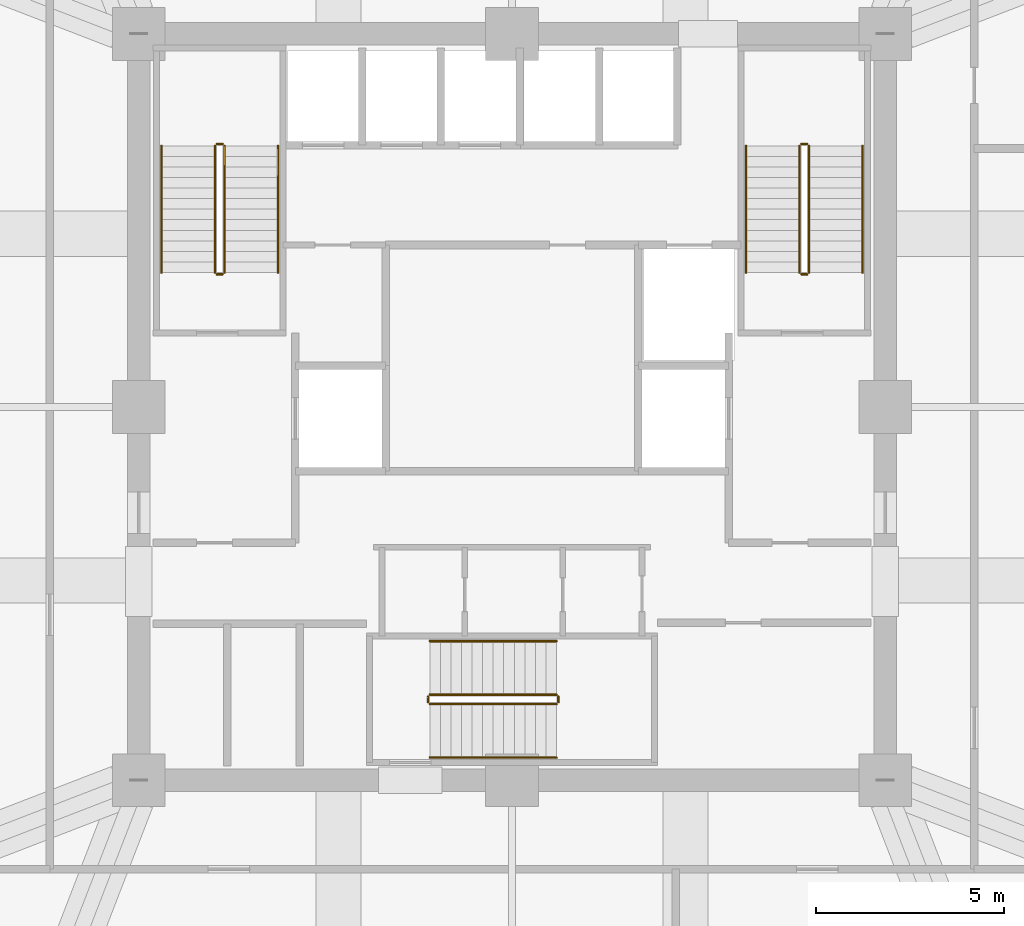
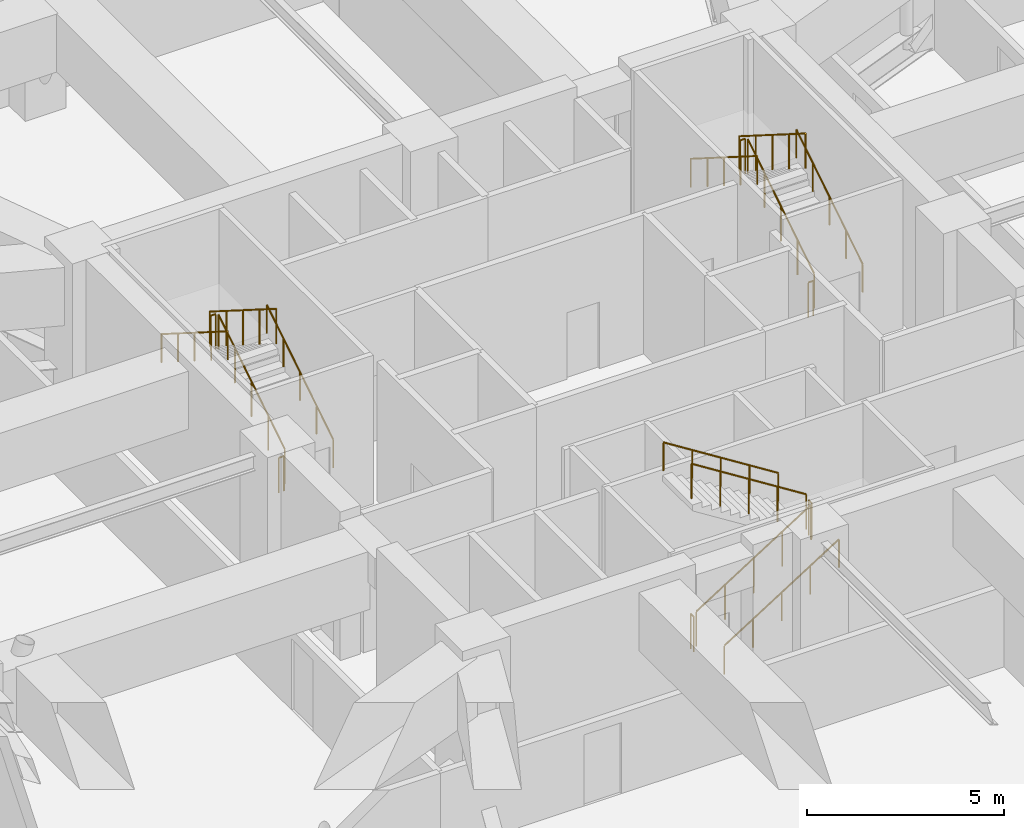
# One storey, part 15 of 15: 18 railings.
"""IFC4 building model written with IfcOpenShell, lengths in metres."""

from ifc_helpers import new_model, si_unit, direction, frame, origin, origin_2d, place, context, subcontext, project, spatial, circle, extrude, material, type_object, element, save


model = new_model("IFC4")

# Units and contexts
model_context = context("Model", 3, precision=1e-05, world=origin(), true_north=direction((0.0, 1.0)))
body_context = subcontext(model_context, "Body", "Model", "MODEL_VIEW")
ifc_project = project(units=[si_unit("LENGTHUNIT", "METRE"), si_unit("AREAUNIT", "SQUARE_METRE"), si_unit("VOLUMEUNIT", "CUBIC_METRE"), si_unit("PLANEANGLEUNIT", "RADIAN"), si_unit("MASSUNIT", "GRAM", prefix="KILO")], contexts=[model_context])

# Site, building, storey
site_placement = place(None, origin())
site = spatial("IfcSite", under=ifc_project, at=site_placement, CompositionType="ELEMENT")
building_placement = place(site_placement, origin())
building = spatial("IfcBuilding", under=site, at=building_placement, Name="Kolvaren Belvedere", CompositionType="ELEMENT")
storey_placement = place(building_placement, frame((0.0, 0.0, 63.39990234375)))
storey = spatial("IfcBuildingStorey", under=building, at=storey_placement, Name="L18", CompositionType="ELEMENT", Elevation=63.39990234375)

# Railings
ifc_material_1 = material(Name="Brushed stainless-steel handrail", Category="steel")
railing_type_1 = type_object("IfcRailingType", Name="RL-HANDRAIL-920", PredefinedType="HANDRAIL", material=ifc_material_1)
railing_1_placement = place(storey_placement, frame((-6.2099609375, 3.570068359375, 0.177001953125)))
element("IfcRailing", 1, at=railing_1_placement, inside=storey, type_object=railing_type_1, Name="L18 ST-1 stair handrail 1", PredefinedType="HANDRAIL", context=body_context, shape_type="SweptSolid", body=[
    extrude(circle(Radius=0.02392578125, at=origin_2d()), frame((0.0, 0.0, 0.8759765625), z_axis=(0.0, 0.845372108799, 0.534177870812), x_axis=(-1.0, 0.0, 0.0)), (0.0, 0.0, 1.0), 3.974365234375),
    extrude(circle(Radius=0.02099609375, at=origin_2d()), origin(), (0.0, 0.0, 1.0), 0.851806640625),
    extrude(circle(Radius=0.02099609375, at=origin_2d()), frame((0.0, 0.83984375, 0.53076171875)), (0.0, 0.0, 1.0), 0.851806640625),
    extrude(circle(Radius=0.02099609375, at=origin_2d()), frame((0.0, 1.679931640625, 1.0615234375)), (0.0, 0.0, 1.0), 0.851806640625),
    extrude(circle(Radius=0.02099609375, at=origin_2d()), frame((0.0, 2.52001953125, 1.59228515625)), (0.0, 0.0, 1.0), 0.851806640625),
    extrude(circle(Radius=0.02099609375, at=origin_2d()), frame((0.0, 3.35986328125, 2.123046875)), (0.0, 0.0, 1.0), 0.851806640625),
])
railing_2_placement = place(storey_placement, frame((-9.300048828125, 6.929931640625, 2.47705078125)))
element("IfcRailing", 2, at=railing_2_placement, inside=storey, type_object=railing_type_1, Name="L18 ST-1 stair handrail 2", PredefinedType="HANDRAIL", context=body_context, shape_type="SweptSolid", body=[
    extrude(circle(Radius=0.02392578125, at=origin_2d()), frame((0.0, 0.0, 0.8759765625), z_axis=(0.0, -0.845372108799, 0.534177870812), x_axis=(1.0, 0.0, 0.0)), (0.0, 0.0, 1.0), 3.974365234375),
    extrude(circle(Radius=0.02099609375, at=origin_2d()), origin(), (0.0, 0.0, 1.0), 0.851806640625),
    extrude(circle(Radius=0.02099609375, at=origin_2d()), frame((0.0, -0.83984375, 0.53076171875)), (0.0, 0.0, 1.0), 0.851806640625),
    extrude(circle(Radius=0.02099609375, at=origin_2d()), frame((0.0, -1.679931640625, 1.0615234375)), (0.0, 0.0, 1.0), 0.851806640625),
    extrude(circle(Radius=0.02099609375, at=origin_2d()), frame((0.0, -2.52001953125, 1.59228515625)), (0.0, 0.0, 1.0), 0.851806640625),
    extrude(circle(Radius=0.02099609375, at=origin_2d()), frame((0.0, -3.35986328125, 2.123046875)), (0.0, 0.0, 1.0), 0.851806640625),
])
railing_3_placement = place(storey_placement, frame((9.300048828125, 3.570068359375, 0.177001953125)))
element("IfcRailing", 3, at=railing_3_placement, inside=storey, type_object=railing_type_1, Name="L18 ST-2 stair handrail 1", PredefinedType="HANDRAIL", context=body_context, shape_type="SweptSolid", body=[
    extrude(circle(Radius=0.02392578125, at=origin_2d()), frame((0.0, 0.0, 0.8759765625), z_axis=(0.0, 0.845372108799, 0.534177870812), x_axis=(-1.0, 0.0, 0.0)), (0.0, 0.0, 1.0), 3.974365234375),
    extrude(circle(Radius=0.02099609375, at=origin_2d()), origin(), (0.0, 0.0, 1.0), 0.851806640625),
    extrude(circle(Radius=0.02099609375, at=origin_2d()), frame((0.0, 0.83984375, 0.53076171875)), (0.0, 0.0, 1.0), 0.851806640625),
    extrude(circle(Radius=0.02099609375, at=origin_2d()), frame((0.0, 1.679931640625, 1.0615234375)), (0.0, 0.0, 1.0), 0.851806640625),
    extrude(circle(Radius=0.02099609375, at=origin_2d()), frame((0.0, 2.52001953125, 1.59228515625)), (0.0, 0.0, 1.0), 0.851806640625),
    extrude(circle(Radius=0.02099609375, at=origin_2d()), frame((0.0, 3.35986328125, 2.123046875)), (0.0, 0.0, 1.0), 0.851806640625),
])
railing_4_placement = place(storey_placement, frame((6.2099609375, 6.929931640625, 2.47705078125)))
element("IfcRailing", 4, at=railing_4_placement, inside=storey, type_object=railing_type_1, Name="L18 ST-2 stair handrail 2", PredefinedType="HANDRAIL", context=body_context, shape_type="SweptSolid", body=[
    extrude(circle(Radius=0.02392578125, at=origin_2d()), frame((0.0, 0.0, 0.8759765625), z_axis=(0.0, -0.845372108799, 0.534177870812), x_axis=(1.0, 0.0, 0.0)), (0.0, 0.0, 1.0), 3.974365234375),
    extrude(circle(Radius=0.02099609375, at=origin_2d()), origin(), (0.0, 0.0, 1.0), 0.851806640625),
    extrude(circle(Radius=0.02099609375, at=origin_2d()), frame((0.0, -0.83984375, 0.53076171875)), (0.0, 0.0, 1.0), 0.851806640625),
    extrude(circle(Radius=0.02099609375, at=origin_2d()), frame((0.0, -1.679931640625, 1.0615234375)), (0.0, 0.0, 1.0), 0.851806640625),
    extrude(circle(Radius=0.02099609375, at=origin_2d()), frame((0.0, -2.52001953125, 1.59228515625)), (0.0, 0.0, 1.0), 0.851806640625),
    extrude(circle(Radius=0.02099609375, at=origin_2d()), frame((0.0, -3.35986328125, 2.123046875)), (0.0, 0.0, 1.0), 0.851806640625),
])
railing_5_placement = place(storey_placement, frame((-2.179931640625, -9.300048828125, 0.177001953125)))
element("IfcRailing", 5, at=railing_5_placement, inside=storey, type_object=railing_type_1, Name="L18 ST-3 stair handrail 1", PredefinedType="HANDRAIL", context=body_context, shape_type="SweptSolid", body=[
    extrude(circle(Radius=0.02392578125, at=origin_2d()), frame((0.0, 0.0, 0.8759765625), z_axis=(0.845372108799, 0.0, 0.534177870812), x_axis=(0.0, 1.0, 0.0)), (0.0, 0.0, 1.0), 3.974365234375),
    extrude(circle(Radius=0.02099609375, at=origin_2d()), origin(), (0.0, 0.0, 1.0), 0.851806640625),
    extrude(circle(Radius=0.02099609375, at=origin_2d()), frame((0.83984375, 0.0, 0.53076171875)), (0.0, 0.0, 1.0), 0.851806640625),
    extrude(circle(Radius=0.02099609375, at=origin_2d()), frame((1.679931640625, 0.0, 1.0615234375)), (0.0, 0.0, 1.0), 0.851806640625),
    extrude(circle(Radius=0.02099609375, at=origin_2d()), frame((2.52001953125, 0.0, 1.59228515625)), (0.0, 0.0, 1.0), 0.851806640625),
    extrude(circle(Radius=0.02099609375, at=origin_2d()), frame((3.35986328125, 0.0, 2.123046875)), (0.0, 0.0, 1.0), 0.851806640625),
])
railing_6_placement = place(storey_placement, frame((1.179931640625, -6.2099609375, 2.47705078125)))
element("IfcRailing", 6, at=railing_6_placement, inside=storey, type_object=railing_type_1, Name="L18 ST-3 stair handrail 2", PredefinedType="HANDRAIL", context=body_context, shape_type="SweptSolid", body=[
    extrude(circle(Radius=0.02392578125, at=origin_2d()), frame((0.0, 0.0, 0.8759765625), z_axis=(-0.845372108799, 0.0, 0.534177870812), x_axis=(0.0, -1.0, 0.0)), (0.0, 0.0, 1.0), 3.974365234375),
    extrude(circle(Radius=0.02099609375, at=origin_2d()), origin(), (0.0, 0.0, 1.0), 0.851806640625),
    extrude(circle(Radius=0.02099609375, at=origin_2d()), frame((-0.83984375, 0.0, 0.53076171875)), (0.0, 0.0, 1.0), 0.851806640625),
    extrude(circle(Radius=0.02099609375, at=origin_2d()), frame((-1.679931640625, 0.0, 1.0615234375)), (0.0, 0.0, 1.0), 0.851806640625),
    extrude(circle(Radius=0.02099609375, at=origin_2d()), frame((-2.52001953125, 0.0, 1.59228515625)), (0.0, 0.0, 1.0), 0.851806640625),
    extrude(circle(Radius=0.02099609375, at=origin_2d()), frame((-3.35986328125, 0.0, 2.123046875)), (0.0, 0.0, 1.0), 0.851806640625),
])
ifc_material_2 = material(Name="Painted tubular steel stair guard", Category="steel")
railing_type_2 = type_object("IfcRailingType", Name="RL-STGUARD-1100", PredefinedType="GUARDRAIL", material=ifc_material_2)
railing_7_placement = place(storey_placement, frame((-7.6298828125, 3.570068359375, 0.177001953125)))
element("IfcRailing", 7, at=railing_7_placement, inside=storey, type_object=railing_type_2, Name="L18 ST-1 stair guard 1", PredefinedType="GUARDRAIL", context=body_context, shape_type="SweptSolid", body=[
    extrude(circle(Radius=0.02392578125, at=origin_2d()), frame((0.0, 0.0, 1.076171875), z_axis=(0.0, 0.845372108799, 0.534177870812), x_axis=(-1.0, 0.0, 0.0)), (0.0, 0.0, 1.0), 3.974365234375),
    extrude(circle(Radius=0.02099609375, at=origin_2d()), origin(), (0.0, 0.0, 1.0), 1.052001953125),
    extrude(circle(Radius=0.02099609375, at=origin_2d()), frame((0.0, 0.83984375, 0.53076171875)), (0.0, 0.0, 1.0), 1.052001953125),
    extrude(circle(Radius=0.02099609375, at=origin_2d()), frame((0.0, 1.679931640625, 1.0615234375)), (0.0, 0.0, 1.0), 1.052001953125),
    extrude(circle(Radius=0.02099609375, at=origin_2d()), frame((0.0, 2.52001953125, 1.59228515625)), (0.0, 0.0, 1.0), 1.052001953125),
    extrude(circle(Radius=0.02099609375, at=origin_2d()), frame((0.0, 3.35986328125, 2.123046875)), (0.0, 0.0, 1.0), 1.052001953125),
])
railing_8_placement = place(storey_placement, frame((-7.679931640625, 6.97998046875, 2.300048828125)))
element("IfcRailing", 8, at=railing_8_placement, inside=storey, type_object=railing_type_2, Name="L18 ST-1 stair guard 2", PredefinedType="GUARDRAIL", context=body_context, shape_type="SweptSolid", body=[
    extrude(circle(Radius=0.02392578125, at=origin_2d()), frame((0.0, 0.0, 1.076171875), z_axis=(-1.0, 0.0, 0.0), x_axis=(0.0, -1.0, 0.0)), (0.0, 0.0, 1.0), 0.150146484375),
    extrude(circle(Radius=0.02099609375, at=origin_2d()), origin(), (0.0, 0.0, 1.0), 1.052001953125),
    extrude(circle(Radius=0.02099609375, at=origin_2d()), frame((-0.150146484375, 0.0, 0.0)), (0.0, 0.0, 1.0), 1.052001953125),
])
railing_9_placement = place(storey_placement, frame((-7.8798828125, 6.929931640625, 2.47705078125)))
element("IfcRailing", 9, at=railing_9_placement, inside=storey, type_object=railing_type_2, Name="L18 ST-1 stair guard 3", PredefinedType="GUARDRAIL", context=body_context, shape_type="SweptSolid", body=[
    extrude(circle(Radius=0.02392578125, at=origin_2d()), frame((0.0, 0.0, 1.076171875), z_axis=(0.0, -0.845372108799, 0.534177870812), x_axis=(1.0, 0.0, 0.0)), (0.0, 0.0, 1.0), 3.974365234375),
    extrude(circle(Radius=0.02099609375, at=origin_2d()), origin(), (0.0, 0.0, 1.0), 1.052001953125),
    extrude(circle(Radius=0.02099609375, at=origin_2d()), frame((0.0, -0.83984375, 0.53076171875)), (0.0, 0.0, 1.0), 1.052001953125),
    extrude(circle(Radius=0.02099609375, at=origin_2d()), frame((0.0, -1.679931640625, 1.0615234375)), (0.0, 0.0, 1.0), 1.052001953125),
    extrude(circle(Radius=0.02099609375, at=origin_2d()), frame((0.0, -2.52001953125, 1.59228515625)), (0.0, 0.0, 1.0), 1.052001953125),
    extrude(circle(Radius=0.02099609375, at=origin_2d()), frame((0.0, -3.35986328125, 2.123046875)), (0.0, 0.0, 1.0), 1.052001953125),
])
railing_10_placement = place(storey_placement, frame((-7.679931640625, 3.52001953125, 0.0)))
element("IfcRailing", 10, at=railing_10_placement, inside=storey, type_object=railing_type_2, Name="L18 ST-1 stair guard 4", PredefinedType="GUARDRAIL", context=body_context, shape_type="SweptSolid", body=[
    extrude(circle(Radius=0.02392578125, at=origin_2d()), frame((0.0, 0.0, 1.076171875), z_axis=(-1.0, 0.0, 0.0), x_axis=(0.0, -1.0, 0.0)), (0.0, 0.0, 1.0), 0.150146484375),
    extrude(circle(Radius=0.02099609375, at=origin_2d()), origin(), (0.0, 0.0, 1.0), 1.052001953125),
    extrude(circle(Radius=0.02099609375, at=origin_2d()), frame((-0.150146484375, 0.0, 0.0)), (0.0, 0.0, 1.0), 1.052001953125),
])
railing_11_placement = place(storey_placement, frame((7.8798828125, 3.570068359375, 0.177001953125)))
element("IfcRailing", 11, at=railing_11_placement, inside=storey, type_object=railing_type_2, Name="L18 ST-2 stair guard 1", PredefinedType="GUARDRAIL", context=body_context, shape_type="SweptSolid", body=[
    extrude(circle(Radius=0.02392578125, at=origin_2d()), frame((0.0, 0.0, 1.076171875), z_axis=(0.0, 0.845372108799, 0.534177870812), x_axis=(-1.0, 0.0, 0.0)), (0.0, 0.0, 1.0), 3.974365234375),
    extrude(circle(Radius=0.02099609375, at=origin_2d()), origin(), (0.0, 0.0, 1.0), 1.052001953125),
    extrude(circle(Radius=0.02099609375, at=origin_2d()), frame((0.0, 0.83984375, 0.53076171875)), (0.0, 0.0, 1.0), 1.052001953125),
    extrude(circle(Radius=0.02099609375, at=origin_2d()), frame((0.0, 1.679931640625, 1.0615234375)), (0.0, 0.0, 1.0), 1.052001953125),
    extrude(circle(Radius=0.02099609375, at=origin_2d()), frame((0.0, 2.52001953125, 1.59228515625)), (0.0, 0.0, 1.0), 1.052001953125),
    extrude(circle(Radius=0.02099609375, at=origin_2d()), frame((0.0, 3.35986328125, 2.123046875)), (0.0, 0.0, 1.0), 1.052001953125),
])
railing_12_placement = place(storey_placement, frame((7.830078125, 6.97998046875, 2.300048828125)))
element("IfcRailing", 12, at=railing_12_placement, inside=storey, type_object=railing_type_2, Name="L18 ST-2 stair guard 2", PredefinedType="GUARDRAIL", context=body_context, shape_type="SweptSolid", body=[
    extrude(circle(Radius=0.02392578125, at=origin_2d()), frame((0.0, 0.0, 1.076171875), z_axis=(-1.0, 0.0, 0.0), x_axis=(0.0, -1.0, 0.0)), (0.0, 0.0, 1.0), 0.150146484375),
    extrude(circle(Radius=0.02099609375, at=origin_2d()), origin(), (0.0, 0.0, 1.0), 1.052001953125),
    extrude(circle(Radius=0.02099609375, at=origin_2d()), frame((-0.150146484375, 0.0, 0.0)), (0.0, 0.0, 1.0), 1.052001953125),
])
railing_13_placement = place(storey_placement, frame((7.6298828125, 6.929931640625, 2.47705078125)))
element("IfcRailing", 13, at=railing_13_placement, inside=storey, type_object=railing_type_2, Name="L18 ST-2 stair guard 3", PredefinedType="GUARDRAIL", context=body_context, shape_type="SweptSolid", body=[
    extrude(circle(Radius=0.02392578125, at=origin_2d()), frame((0.0, 0.0, 1.076171875), z_axis=(0.0, -0.845372108799, 0.534177870812), x_axis=(1.0, 0.0, 0.0)), (0.0, 0.0, 1.0), 3.974365234375),
    extrude(circle(Radius=0.02099609375, at=origin_2d()), origin(), (0.0, 0.0, 1.0), 1.052001953125),
    extrude(circle(Radius=0.02099609375, at=origin_2d()), frame((0.0, -0.83984375, 0.53076171875)), (0.0, 0.0, 1.0), 1.052001953125),
    extrude(circle(Radius=0.02099609375, at=origin_2d()), frame((0.0, -1.679931640625, 1.0615234375)), (0.0, 0.0, 1.0), 1.052001953125),
    extrude(circle(Radius=0.02099609375, at=origin_2d()), frame((0.0, -2.52001953125, 1.59228515625)), (0.0, 0.0, 1.0), 1.052001953125),
    extrude(circle(Radius=0.02099609375, at=origin_2d()), frame((0.0, -3.35986328125, 2.123046875)), (0.0, 0.0, 1.0), 1.052001953125),
])
railing_14_placement = place(storey_placement, frame((7.830078125, 3.52001953125, 0.0)))
element("IfcRailing", 14, at=railing_14_placement, inside=storey, type_object=railing_type_2, Name="L18 ST-2 stair guard 4", PredefinedType="GUARDRAIL", context=body_context, shape_type="SweptSolid", body=[
    extrude(circle(Radius=0.02392578125, at=origin_2d()), frame((0.0, 0.0, 1.076171875), z_axis=(-1.0, 0.0, 0.0), x_axis=(0.0, -1.0, 0.0)), (0.0, 0.0, 1.0), 0.150146484375),
    extrude(circle(Radius=0.02099609375, at=origin_2d()), origin(), (0.0, 0.0, 1.0), 1.052001953125),
    extrude(circle(Radius=0.02099609375, at=origin_2d()), frame((-0.150146484375, 0.0, 0.0)), (0.0, 0.0, 1.0), 1.052001953125),
])
railing_15_placement = place(storey_placement, frame((-2.179931640625, -7.8798828125, 0.177001953125)))
element("IfcRailing", 15, at=railing_15_placement, inside=storey, type_object=railing_type_2, Name="L18 ST-3 stair guard 1", PredefinedType="GUARDRAIL", context=body_context, shape_type="SweptSolid", body=[
    extrude(circle(Radius=0.02392578125, at=origin_2d()), frame((0.0, 0.0, 1.076171875), z_axis=(0.845372108799, 0.0, 0.534177870812), x_axis=(0.0, 1.0, 0.0)), (0.0, 0.0, 1.0), 3.974365234375),
    extrude(circle(Radius=0.02099609375, at=origin_2d()), origin(), (0.0, 0.0, 1.0), 1.052001953125),
    extrude(circle(Radius=0.02099609375, at=origin_2d()), frame((0.83984375, 0.0, 0.53076171875)), (0.0, 0.0, 1.0), 1.052001953125),
    extrude(circle(Radius=0.02099609375, at=origin_2d()), frame((1.679931640625, 0.0, 1.0615234375)), (0.0, 0.0, 1.0), 1.052001953125),
    extrude(circle(Radius=0.02099609375, at=origin_2d()), frame((2.52001953125, 0.0, 1.59228515625)), (0.0, 0.0, 1.0), 1.052001953125),
    extrude(circle(Radius=0.02099609375, at=origin_2d()), frame((3.35986328125, 0.0, 2.123046875)), (0.0, 0.0, 1.0), 1.052001953125),
])
railing_16_placement = place(storey_placement, frame((1.22998046875, -7.830078125, 2.300048828125)))
element("IfcRailing", 16, at=railing_16_placement, inside=storey, type_object=railing_type_2, Name="L18 ST-3 stair guard 2", PredefinedType="GUARDRAIL", context=body_context, shape_type="SweptSolid", body=[
    extrude(circle(Radius=0.02392578125, at=origin_2d()), frame((0.0, 0.0, 1.076171875), z_axis=(0.0, 1.0, 0.0), x_axis=(-1.0, 0.0, 0.0)), (0.0, 0.0, 1.0), 0.150146484375),
    extrude(circle(Radius=0.02099609375, at=origin_2d()), origin(), (0.0, 0.0, 1.0), 1.052001953125),
    extrude(circle(Radius=0.02099609375, at=origin_2d()), frame((0.0, 0.150146484375, 0.0)), (0.0, 0.0, 1.0), 1.052001953125),
])
railing_17_placement = place(storey_placement, frame((1.179931640625, -7.6298828125, 2.47705078125)))
element("IfcRailing", 17, at=railing_17_placement, inside=storey, type_object=railing_type_2, Name="L18 ST-3 stair guard 3", PredefinedType="GUARDRAIL", context=body_context, shape_type="SweptSolid", body=[
    extrude(circle(Radius=0.02392578125, at=origin_2d()), frame((0.0, 0.0, 1.076171875), z_axis=(-0.845372108799, 0.0, 0.534177870812), x_axis=(0.0, -1.0, 0.0)), (0.0, 0.0, 1.0), 3.974365234375),
    extrude(circle(Radius=0.02099609375, at=origin_2d()), origin(), (0.0, 0.0, 1.0), 1.052001953125),
    extrude(circle(Radius=0.02099609375, at=origin_2d()), frame((-0.83984375, 0.0, 0.53076171875)), (0.0, 0.0, 1.0), 1.052001953125),
    extrude(circle(Radius=0.02099609375, at=origin_2d()), frame((-1.679931640625, 0.0, 1.0615234375)), (0.0, 0.0, 1.0), 1.052001953125),
    extrude(circle(Radius=0.02099609375, at=origin_2d()), frame((-2.52001953125, 0.0, 1.59228515625)), (0.0, 0.0, 1.0), 1.052001953125),
    extrude(circle(Radius=0.02099609375, at=origin_2d()), frame((-3.35986328125, 0.0, 2.123046875)), (0.0, 0.0, 1.0), 1.052001953125),
])
railing_18_placement = place(storey_placement, frame((-2.22998046875, -7.830078125, 0.0)))
element("IfcRailing", 18, at=railing_18_placement, inside=storey, type_object=railing_type_2, Name="L18 ST-3 stair guard 4", PredefinedType="GUARDRAIL", context=body_context, shape_type="SweptSolid", body=[
    extrude(circle(Radius=0.02392578125, at=origin_2d()), frame((0.0, 0.0, 1.076171875), z_axis=(0.0, 1.0, 0.0), x_axis=(-1.0, 0.0, 0.0)), (0.0, 0.0, 1.0), 0.150146484375),
    extrude(circle(Radius=0.02099609375, at=origin_2d()), origin(), (0.0, 0.0, 1.0), 1.052001953125),
    extrude(circle(Radius=0.02099609375, at=origin_2d()), frame((0.0, 0.150146484375, 0.0)), (0.0, 0.0, 1.0), 1.052001953125),
])

save(model, "model.ifc")
